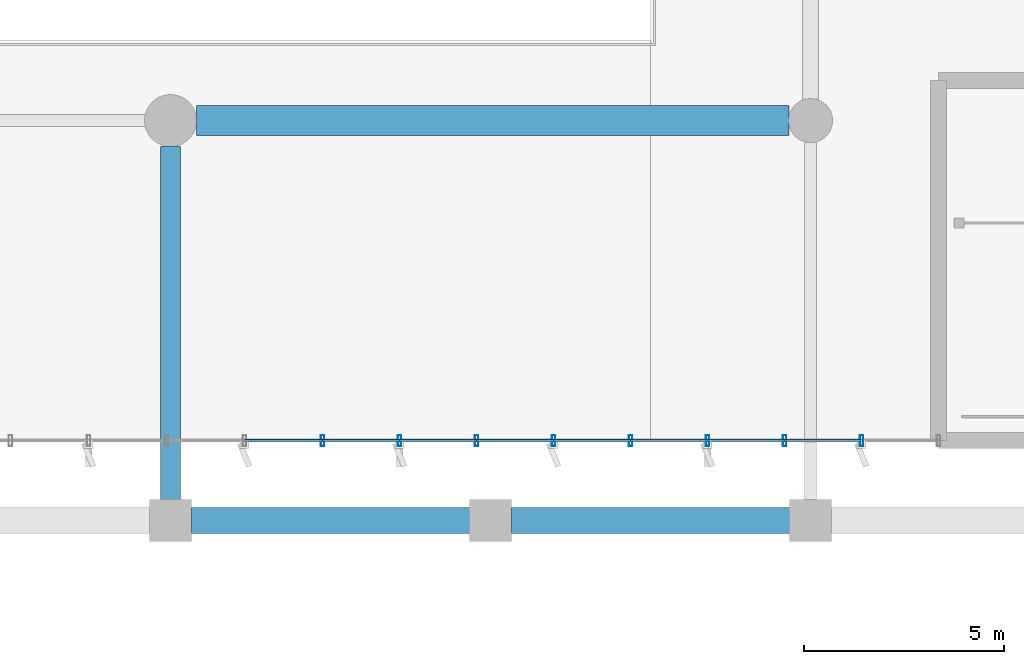
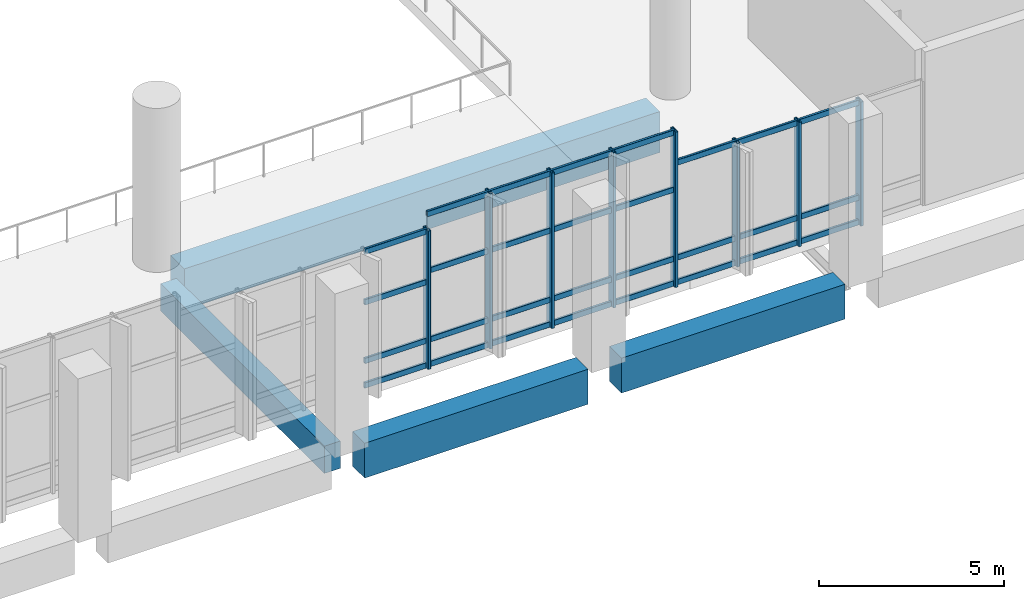
# One storey, part 34 of 176: 37 members, 4 beams, 3 elements without a shape of their own.
"""IFC4 building model written with IfcOpenShell, lengths in metres."""

from ifc_helpers import new_model, si_unit, direction, frame, origin, origin_2d, place, context, subcontext, project, spatial, rectangle, hollow_rectangle, extrude, material, layer, layer_set, material_profile, profile_set, type_object, element, aggregate, save


model = new_model("IFC4")

# Units and contexts
model_context = context("Model", 3, precision=1e-05, world=origin(), true_north=direction((0.0, 1.0)))
body_context = subcontext(model_context, "Body", "Model", "MODEL_VIEW")
ifc_project = project(units=[si_unit("LENGTHUNIT", "METRE"), si_unit("AREAUNIT", "SQUARE_METRE"), si_unit("VOLUMEUNIT", "CUBIC_METRE"), si_unit("PLANEANGLEUNIT", "RADIAN"), si_unit("MASSUNIT", "GRAM", prefix="KILO")], contexts=[model_context])

# Site, building, storey
site_placement = place(None, origin())
site = spatial("IfcSite", under=ifc_project, at=site_placement, CompositionType="ELEMENT")
building_placement = place(site_placement, origin())
building = spatial("IfcBuilding", under=site, at=building_placement, Name="Khorjan Park Terminus", CompositionType="ELEMENT")
storey_placement = place(building_placement, frame((0.0, 0.0, 6.0)))
storey = spatial("IfcBuildingStorey", under=building, at=storey_placement, Name="L01", CompositionType="ELEMENT", Elevation=6.0)

# Beams
ifc_material_1 = material(Name="Concrete C40/50", Category="concrete")
ifc_material_profile_1 = material_profile(ifc_material_1, rectangle(XDim=0.5, YDim=0.9, at=origin_2d()), Name="RC 500x900")
ifc_profile_set_1 = profile_set([ifc_material_profile_1], Name="Concrete C40/50")
beam_type_1 = type_object("IfcBeamType", Name="BM-RC500x900", PredefinedType="BEAM", material=ifc_profile_set_1)
beam_1_placement = place(storey_placement, frame((96.0, 26.52, -0.79), z_axis=(0.0, 1.0, 0.0), x_axis=(-1.0, 0.0, 0.0)))
element("IfcBeam", 1, at=beam_1_placement, inside=storey, type_object=beam_type_1, Name="Primary floor girder GB-09 (L01)", PredefinedType="BEAM", context=body_context, shape_type="SweptSolid", body=[
    extrude(rectangle(XDim=0.5, YDim=0.9, at=origin_2d()), origin(), (0.0, 0.0, 1.0), 8.835),
])
ifc_material_2 = material(Name="Concrete C50/60", Category="concrete")
ifc_material_profile_2 = material_profile(ifc_material_2, rectangle(XDim=0.75, YDim=1.35, at=origin_2d()), Name="RC 750x1350")
ifc_profile_set_2 = profile_set([ifc_material_profile_2], Name="Concrete C50/60")
beam_type_2 = type_object("IfcBeamType", Name="BM-RC750x1350", PredefinedType="BEAM", material=ifc_profile_set_2)
beam_2_placement = place(storey_placement, frame((96.645, 36.0, -1.015), z_axis=(1.0, 0.0, 0.0), x_axis=(0.0, 1.0, 0.0)))
element("IfcBeam", 2, at=beam_2_placement, inside=storey, type_object=beam_type_2, Name="Primary floor girder GB-13 (L01)", PredefinedType="BEAM", context=body_context, shape_type="SweptSolid", body=[
    extrude(rectangle(XDim=0.75, YDim=1.35, at=origin_2d()), origin(), (0.0, 0.0, 1.0), 14.81),
])

# Curtain wall, member
ifc_material_3 = material(Name="Anodized Bronze Aluminium", Category="aluminium")
ifc_layer = layer(ifc_material_3, 0.22)
ifc_layer_set = layer_set([ifc_layer], Name="Anodized Bronze Aluminium")
curtain_wall_type = type_object("IfcCurtainWallType", Name="CW-CONC-A", PredefinedType="NOTDEFINED", material=ifc_layer_set)
curtain_wall_1_placement = place(storey_placement, origin())
curtain_wall_1 = element("IfcCurtainWall", 3, at=curtain_wall_1_placement, inside=storey, type_object=curtain_wall_type, Name="Unitized curtain wall CW-A (CW-V2-S-L01-05)", PredefinedType="NOTDEFINED")
ifc_material_profile_3 = material_profile(ifc_material_3, hollow_rectangle(XDim=0.09, YDim=0.28, WallThickness=0.006, InnerFilletRadius=0.006, OuterFilletRadius=0.012, at=origin_2d()), Name="ALM 90x280x6")
ifc_profile_set_3 = profile_set([ifc_material_profile_3], Name="Anodized Bronze Aluminium")
member_type_1 = type_object("IfcMemberType", Name="ML-ALM-280", PredefinedType="MULLION", material=ifc_profile_set_3)
member_1_placement = place(storey_placement, frame((99.8, 28.0, -0.035), z_axis=(0.0, 0.0, 1.0), x_axis=(1.0, 0.0, 0.0)))
member_1 = element("IfcMember", 4, at=member_1_placement, type_object=member_type_1, Name="Curtain-wall mullion ML-28 (CW-V2-S-L01-05-4)", PredefinedType="MULLION", context=body_context, shape_type="SweptSolid", body=[
    extrude(hollow_rectangle(XDim=0.09, YDim=0.28, WallThickness=0.006, InnerFilletRadius=0.006, OuterFilletRadius=0.012, at=origin_2d()), origin(), (0.0, 0.0, 1.0), 4.555),
])

# Curtain wall, members
curtain_wall_2_placement = place(storey_placement, origin())
curtain_wall_2 = element("IfcCurtainWall", 5, at=curtain_wall_2_placement, inside=storey, type_object=curtain_wall_type, Name="Unitized curtain wall CW-A (CW-V2-S-L01-06)", PredefinedType="NOTDEFINED")
member_2_placement = place(storey_placement, frame((101.725, 28.0, -0.035), z_axis=(0.0, 0.0, 1.0), x_axis=(1.0, 0.0, 0.0)))
member_2 = element("IfcMember", 6, at=member_2_placement, type_object=member_type_1, Name="Curtain-wall mullion ML-28 (CW-V2-S-L01-06-1)", PredefinedType="MULLION", context=body_context, shape_type="SweptSolid", body=[
    extrude(hollow_rectangle(XDim=0.09, YDim=0.28, WallThickness=0.006, InnerFilletRadius=0.006, OuterFilletRadius=0.012, at=origin_2d()), origin(), (0.0, 0.0, 1.0), 5.115),
])
member_3_placement = place(storey_placement, frame((103.65, 28.0, -0.035), z_axis=(0.0, 0.0, 1.0), x_axis=(1.0, 0.0, 0.0)))
member_3 = element("IfcMember", 7, at=member_3_placement, type_object=member_type_1, Name="Curtain-wall mullion ML-28 (CW-V2-S-L01-06-2)", PredefinedType="MULLION", context=body_context, shape_type="SweptSolid", body=[
    extrude(hollow_rectangle(XDim=0.09, YDim=0.28, WallThickness=0.006, InnerFilletRadius=0.006, OuterFilletRadius=0.012, at=origin_2d()), origin(), (0.0, 0.0, 1.0), 5.115),
])
member_4_placement = place(storey_placement, frame((105.575, 28.0, -0.035), z_axis=(0.0, 0.0, 1.0), x_axis=(1.0, 0.0, 0.0)))
member_4 = element("IfcMember", 8, at=member_4_placement, type_object=member_type_1, Name="Curtain-wall mullion ML-28 (CW-V2-S-L01-06-3)", PredefinedType="MULLION", context=body_context, shape_type="SweptSolid", body=[
    extrude(hollow_rectangle(XDim=0.09, YDim=0.28, WallThickness=0.006, InnerFilletRadius=0.006, OuterFilletRadius=0.012, at=origin_2d()), origin(), (0.0, 0.0, 1.0), 5.115),
])
member_5_placement = place(storey_placement, frame((107.5, 28.0, -0.035), z_axis=(0.0, 0.0, 1.0), x_axis=(1.0, 0.0, 0.0)))
member_5 = element("IfcMember", 9, at=member_5_placement, type_object=member_type_1, Name="Curtain-wall mullion ML-28 (CW-V2-S-L01-06-4)", PredefinedType="MULLION", context=body_context, shape_type="SweptSolid", body=[
    extrude(hollow_rectangle(XDim=0.09, YDim=0.28, WallThickness=0.006, InnerFilletRadius=0.006, OuterFilletRadius=0.012, at=origin_2d()), origin(), (0.0, 0.0, 1.0), 5.115),
])

curtain_wall_3_placement = place(storey_placement, origin())
curtain_wall_3 = element("IfcCurtainWall", 10, at=curtain_wall_3_placement, inside=storey, type_object=curtain_wall_type, Name="Unitized curtain wall CW-A (CW-V2-S-L01-07)", PredefinedType="NOTDEFINED")
member_6_placement = place(storey_placement, frame((109.425, 28.0, -0.035), z_axis=(0.0, 0.0, 1.0), x_axis=(1.0, 0.0, 0.0)))
member_6 = element("IfcMember", 11, at=member_6_placement, type_object=member_type_1, Name="Curtain-wall mullion ML-28 (CW-V2-S-L01-07-1)", PredefinedType="MULLION", context=body_context, shape_type="SweptSolid", body=[
    extrude(hollow_rectangle(XDim=0.09, YDim=0.28, WallThickness=0.006, InnerFilletRadius=0.006, OuterFilletRadius=0.012, at=origin_2d()), origin(), (0.0, 0.0, 1.0), 4.085),
])
member_7_placement = place(storey_placement, frame((111.35, 28.0, -0.035), z_axis=(0.0, 0.0, 1.0), x_axis=(1.0, 0.0, 0.0)))
member_7 = element("IfcMember", 12, at=member_7_placement, type_object=member_type_1, Name="Curtain-wall mullion ML-28 (CW-V2-S-L01-07-2)", PredefinedType="MULLION", context=body_context, shape_type="SweptSolid", body=[
    extrude(hollow_rectangle(XDim=0.09, YDim=0.28, WallThickness=0.006, InnerFilletRadius=0.006, OuterFilletRadius=0.012, at=origin_2d()), origin(), (0.0, 0.0, 1.0), 4.085),
])
member_8_placement = place(storey_placement, frame((113.275, 28.0, -0.035), z_axis=(0.0, 0.0, 1.0), x_axis=(1.0, 0.0, 0.0)))
member_8 = element("IfcMember", 13, at=member_8_placement, type_object=member_type_1, Name="Curtain-wall mullion ML-28 (CW-V2-S-L01-07-3)", PredefinedType="MULLION", context=body_context, shape_type="SweptSolid", body=[
    extrude(hollow_rectangle(XDim=0.09, YDim=0.28, WallThickness=0.006, InnerFilletRadius=0.006, OuterFilletRadius=0.012, at=origin_2d()), origin(), (0.0, 0.0, 1.0), 4.085),
])

# Beams
ifc_material_profile_4 = material_profile(ifc_material_2, rectangle(XDim=0.65, YDim=1.15, at=origin_2d()), Name="RC 650x1150")
ifc_profile_set_4 = profile_set([ifc_material_profile_4], Name="Concrete C50/60")
beam_type_3 = type_object("IfcBeamType", Name="SP-RC650x1150", PredefinedType="SPANDREL", material=ifc_profile_set_4)
for number, where, z_axis, x_axis, name in (
    (14, (96.52, 26.0, -0.575), (1.0, 0.0, 0.0), (0.0, 1.0, 0.0), "Concourse lower colonnade ring beam SP-11 (L01-13)"),
    (15, (104.52, 26.0, -0.575), (1.0, 0.0, 0.0), (0.0, 1.0, 0.0), "Concourse lower colonnade ring beam SP-11 (L01-15)"),
):
    element("IfcBeam", number, at=place(storey_placement, frame(where, z_axis=z_axis, x_axis=x_axis)), inside=storey, type_object=beam_type_3, Name=name, PredefinedType="SPANDREL", context=body_context, shape_type="SweptSolid", body=[
        extrude(rectangle(XDim=0.65, YDim=1.15, at=origin_2d()), origin(), (0.0, 0.0, 1.0), 6.96),
    ])

# Member
ifc_material_profile_5 = material_profile(ifc_material_3, hollow_rectangle(XDim=0.075, YDim=0.185, WallThickness=0.005, InnerFilletRadius=0.005, OuterFilletRadius=0.01, at=origin_2d()), Name="ALT 75x185x5")
ifc_profile_set_5 = profile_set([ifc_material_profile_5], Name="Anodized Bronze Aluminium")
member_type_2 = type_object("IfcMemberType", Name="TR-ALT-185", PredefinedType="USERDEFINED", material=ifc_profile_set_5)
member_9_placement = place(storey_placement, frame((97.85, 28.0, 0.04), z_axis=(1.0, 0.0, 0.0), x_axis=(0.0, 1.0, 0.0)))
member_9 = element("IfcMember", 16, at=member_9_placement, type_object=member_type_2, Name="Curtain-wall transom TR-18 (CW-V2-S-L01-05-3-1)", ObjectType="TRANSOM", PredefinedType="USERDEFINED", context=body_context, shape_type="SweptSolid", body=[
    extrude(hollow_rectangle(XDim=0.075, YDim=0.185, WallThickness=0.005, InnerFilletRadius=0.005, OuterFilletRadius=0.01, at=origin_2d()), origin(), (0.0, 0.0, 1.0), 1.95),
])

member_10_placement = place(storey_placement, frame((97.85, 28.0, 0.85), z_axis=(1.0, 0.0, 0.0), x_axis=(0.0, 1.0, 0.0)))
member_10 = element("IfcMember", 17, at=member_10_placement, type_object=member_type_2, Name="Curtain-wall transom TR-18 (CW-V2-S-L01-05-3-2)", ObjectType="TRANSOM", PredefinedType="USERDEFINED", context=body_context, shape_type="SweptSolid", body=[
    extrude(hollow_rectangle(XDim=0.075, YDim=0.185, WallThickness=0.005, InnerFilletRadius=0.005, OuterFilletRadius=0.01, at=origin_2d()), origin(), (0.0, 0.0, 1.0), 1.95),
])

member_11_placement = place(storey_placement, frame((97.85, 28.0, 2.7807), z_axis=(1.0, 0.0, 0.0), x_axis=(0.0, 1.0, 0.0)))
member_11 = element("IfcMember", 18, at=member_11_placement, type_object=member_type_2, Name="Curtain-wall transom TR-18 (CW-V2-S-L01-05-3-3)", ObjectType="TRANSOM", PredefinedType="USERDEFINED", context=body_context, shape_type="SweptSolid", body=[
    extrude(hollow_rectangle(XDim=0.075, YDim=0.185, WallThickness=0.005, InnerFilletRadius=0.005, OuterFilletRadius=0.01, at=origin_2d()), origin(), (0.0, 0.0, 1.0), 1.95),
])

member_12_placement = place(storey_placement, frame((97.85, 28.0, 4.445), z_axis=(1.0, 0.0, 0.0), x_axis=(0.0, 1.0, 0.0)))
member_12 = element("IfcMember", 19, at=member_12_placement, type_object=member_type_2, Name="Curtain-wall transom TR-18 (CW-V2-S-L01-05-3-4)", ObjectType="TRANSOM", PredefinedType="USERDEFINED", context=body_context, shape_type="SweptSolid", body=[
    extrude(hollow_rectangle(XDim=0.075, YDim=0.185, WallThickness=0.005, InnerFilletRadius=0.005, OuterFilletRadius=0.01, at=origin_2d()), origin(), (0.0, 0.0, 1.0), 1.95),
])

aggregate(curtain_wall_1, [member_1, member_9, member_10, member_11, member_12])

member_13_placement = place(storey_placement, frame((99.8, 28.0, 0.04), z_axis=(1.0, 0.0, 0.0), x_axis=(0.0, 1.0, 0.0)))
member_13 = element("IfcMember", 20, at=member_13_placement, type_object=member_type_2, Name="Curtain-wall transom TR-18 (CW-V2-S-L01-06-0-1)", ObjectType="TRANSOM", PredefinedType="USERDEFINED", context=body_context, shape_type="SweptSolid", body=[
    extrude(hollow_rectangle(XDim=0.075, YDim=0.185, WallThickness=0.005, InnerFilletRadius=0.005, OuterFilletRadius=0.01, at=origin_2d()), origin(), (0.0, 0.0, 1.0), 1.925),
])

member_14_placement = place(storey_placement, frame((99.8, 28.0, 0.85), z_axis=(1.0, 0.0, 0.0), x_axis=(0.0, 1.0, 0.0)))
member_14 = element("IfcMember", 21, at=member_14_placement, type_object=member_type_2, Name="Curtain-wall transom TR-18 (CW-V2-S-L01-06-0-2)", ObjectType="TRANSOM", PredefinedType="USERDEFINED", context=body_context, shape_type="SweptSolid", body=[
    extrude(hollow_rectangle(XDim=0.075, YDim=0.185, WallThickness=0.005, InnerFilletRadius=0.005, OuterFilletRadius=0.01, at=origin_2d()), origin(), (0.0, 0.0, 1.0), 1.925),
])

member_15_placement = place(storey_placement, frame((99.8, 28.0, 3.1279), z_axis=(1.0, 0.0, 0.0), x_axis=(0.0, 1.0, 0.0)))
member_15 = element("IfcMember", 22, at=member_15_placement, type_object=member_type_2, Name="Curtain-wall transom TR-18 (CW-V2-S-L01-06-0-3)", ObjectType="TRANSOM", PredefinedType="USERDEFINED", context=body_context, shape_type="SweptSolid", body=[
    extrude(hollow_rectangle(XDim=0.075, YDim=0.185, WallThickness=0.005, InnerFilletRadius=0.005, OuterFilletRadius=0.01, at=origin_2d()), origin(), (0.0, 0.0, 1.0), 1.925),
])

member_16_placement = place(storey_placement, frame((99.8, 28.0, 5.005), z_axis=(1.0, 0.0, 0.0), x_axis=(0.0, 1.0, 0.0)))
member_16 = element("IfcMember", 23, at=member_16_placement, type_object=member_type_2, Name="Curtain-wall transom TR-18 (CW-V2-S-L01-06-0-4)", ObjectType="TRANSOM", PredefinedType="USERDEFINED", context=body_context, shape_type="SweptSolid", body=[
    extrude(hollow_rectangle(XDim=0.075, YDim=0.185, WallThickness=0.005, InnerFilletRadius=0.005, OuterFilletRadius=0.01, at=origin_2d()), origin(), (0.0, 0.0, 1.0), 1.925),
])

member_17_placement = place(storey_placement, frame((101.725, 28.0, 0.04), z_axis=(1.0, 0.0, 0.0), x_axis=(0.0, 1.0, 0.0)))
member_17 = element("IfcMember", 24, at=member_17_placement, type_object=member_type_2, Name="Curtain-wall transom TR-18 (CW-V2-S-L01-06-1-1)", ObjectType="TRANSOM", PredefinedType="USERDEFINED", context=body_context, shape_type="SweptSolid", body=[
    extrude(hollow_rectangle(XDim=0.075, YDim=0.185, WallThickness=0.005, InnerFilletRadius=0.005, OuterFilletRadius=0.01, at=origin_2d()), origin(), (0.0, 0.0, 1.0), 1.925),
])

member_18_placement = place(storey_placement, frame((101.725, 28.0, 0.85), z_axis=(1.0, 0.0, 0.0), x_axis=(0.0, 1.0, 0.0)))
member_18 = element("IfcMember", 25, at=member_18_placement, type_object=member_type_2, Name="Curtain-wall transom TR-18 (CW-V2-S-L01-06-1-2)", ObjectType="TRANSOM", PredefinedType="USERDEFINED", context=body_context, shape_type="SweptSolid", body=[
    extrude(hollow_rectangle(XDim=0.075, YDim=0.185, WallThickness=0.005, InnerFilletRadius=0.005, OuterFilletRadius=0.01, at=origin_2d()), origin(), (0.0, 0.0, 1.0), 1.925),
])

member_19_placement = place(storey_placement, frame((101.725, 28.0, 3.1279), z_axis=(1.0, 0.0, 0.0), x_axis=(0.0, 1.0, 0.0)))
member_19 = element("IfcMember", 26, at=member_19_placement, type_object=member_type_2, Name="Curtain-wall transom TR-18 (CW-V2-S-L01-06-1-3)", ObjectType="TRANSOM", PredefinedType="USERDEFINED", context=body_context, shape_type="SweptSolid", body=[
    extrude(hollow_rectangle(XDim=0.075, YDim=0.185, WallThickness=0.005, InnerFilletRadius=0.005, OuterFilletRadius=0.01, at=origin_2d()), origin(), (0.0, 0.0, 1.0), 1.925),
])

member_20_placement = place(storey_placement, frame((101.725, 28.0, 5.005), z_axis=(1.0, 0.0, 0.0), x_axis=(0.0, 1.0, 0.0)))
member_20 = element("IfcMember", 27, at=member_20_placement, type_object=member_type_2, Name="Curtain-wall transom TR-18 (CW-V2-S-L01-06-1-4)", ObjectType="TRANSOM", PredefinedType="USERDEFINED", context=body_context, shape_type="SweptSolid", body=[
    extrude(hollow_rectangle(XDim=0.075, YDim=0.185, WallThickness=0.005, InnerFilletRadius=0.005, OuterFilletRadius=0.01, at=origin_2d()), origin(), (0.0, 0.0, 1.0), 1.925),
])

member_21_placement = place(storey_placement, frame((103.65, 28.0, 0.04), z_axis=(1.0, 0.0, 0.0), x_axis=(0.0, 1.0, 0.0)))
member_21 = element("IfcMember", 28, at=member_21_placement, type_object=member_type_2, Name="Curtain-wall transom TR-18 (CW-V2-S-L01-06-2-1)", ObjectType="TRANSOM", PredefinedType="USERDEFINED", context=body_context, shape_type="SweptSolid", body=[
    extrude(hollow_rectangle(XDim=0.075, YDim=0.185, WallThickness=0.005, InnerFilletRadius=0.005, OuterFilletRadius=0.01, at=origin_2d()), origin(), (0.0, 0.0, 1.0), 1.925),
])

member_22_placement = place(storey_placement, frame((103.65, 28.0, 0.85), z_axis=(1.0, 0.0, 0.0), x_axis=(0.0, 1.0, 0.0)))
member_22 = element("IfcMember", 29, at=member_22_placement, type_object=member_type_2, Name="Curtain-wall transom TR-18 (CW-V2-S-L01-06-2-2)", ObjectType="TRANSOM", PredefinedType="USERDEFINED", context=body_context, shape_type="SweptSolid", body=[
    extrude(hollow_rectangle(XDim=0.075, YDim=0.185, WallThickness=0.005, InnerFilletRadius=0.005, OuterFilletRadius=0.01, at=origin_2d()), origin(), (0.0, 0.0, 1.0), 1.925),
])

member_23_placement = place(storey_placement, frame((103.65, 28.0, 3.1279), z_axis=(1.0, 0.0, 0.0), x_axis=(0.0, 1.0, 0.0)))
member_23 = element("IfcMember", 30, at=member_23_placement, type_object=member_type_2, Name="Curtain-wall transom TR-18 (CW-V2-S-L01-06-2-3)", ObjectType="TRANSOM", PredefinedType="USERDEFINED", context=body_context, shape_type="SweptSolid", body=[
    extrude(hollow_rectangle(XDim=0.075, YDim=0.185, WallThickness=0.005, InnerFilletRadius=0.005, OuterFilletRadius=0.01, at=origin_2d()), origin(), (0.0, 0.0, 1.0), 1.925),
])

member_24_placement = place(storey_placement, frame((103.65, 28.0, 5.005), z_axis=(1.0, 0.0, 0.0), x_axis=(0.0, 1.0, 0.0)))
member_24 = element("IfcMember", 31, at=member_24_placement, type_object=member_type_2, Name="Curtain-wall transom TR-18 (CW-V2-S-L01-06-2-4)", ObjectType="TRANSOM", PredefinedType="USERDEFINED", context=body_context, shape_type="SweptSolid", body=[
    extrude(hollow_rectangle(XDim=0.075, YDim=0.185, WallThickness=0.005, InnerFilletRadius=0.005, OuterFilletRadius=0.01, at=origin_2d()), origin(), (0.0, 0.0, 1.0), 1.925),
])

member_25_placement = place(storey_placement, frame((105.575, 28.0, 0.04), z_axis=(1.0, 0.0, 0.0), x_axis=(0.0, 1.0, 0.0)))
member_25 = element("IfcMember", 32, at=member_25_placement, type_object=member_type_2, Name="Curtain-wall transom TR-18 (CW-V2-S-L01-06-3-1)", ObjectType="TRANSOM", PredefinedType="USERDEFINED", context=body_context, shape_type="SweptSolid", body=[
    extrude(hollow_rectangle(XDim=0.075, YDim=0.185, WallThickness=0.005, InnerFilletRadius=0.005, OuterFilletRadius=0.01, at=origin_2d()), origin(), (0.0, 0.0, 1.0), 1.925),
])

member_26_placement = place(storey_placement, frame((105.575, 28.0, 0.85), z_axis=(1.0, 0.0, 0.0), x_axis=(0.0, 1.0, 0.0)))
member_26 = element("IfcMember", 33, at=member_26_placement, type_object=member_type_2, Name="Curtain-wall transom TR-18 (CW-V2-S-L01-06-3-2)", ObjectType="TRANSOM", PredefinedType="USERDEFINED", context=body_context, shape_type="SweptSolid", body=[
    extrude(hollow_rectangle(XDim=0.075, YDim=0.185, WallThickness=0.005, InnerFilletRadius=0.005, OuterFilletRadius=0.01, at=origin_2d()), origin(), (0.0, 0.0, 1.0), 1.925),
])

member_27_placement = place(storey_placement, frame((105.575, 28.0, 3.1279), z_axis=(1.0, 0.0, 0.0), x_axis=(0.0, 1.0, 0.0)))
member_27 = element("IfcMember", 34, at=member_27_placement, type_object=member_type_2, Name="Curtain-wall transom TR-18 (CW-V2-S-L01-06-3-3)", ObjectType="TRANSOM", PredefinedType="USERDEFINED", context=body_context, shape_type="SweptSolid", body=[
    extrude(hollow_rectangle(XDim=0.075, YDim=0.185, WallThickness=0.005, InnerFilletRadius=0.005, OuterFilletRadius=0.01, at=origin_2d()), origin(), (0.0, 0.0, 1.0), 1.925),
])

member_28_placement = place(storey_placement, frame((105.575, 28.0, 5.005), z_axis=(1.0, 0.0, 0.0), x_axis=(0.0, 1.0, 0.0)))
member_28 = element("IfcMember", 35, at=member_28_placement, type_object=member_type_2, Name="Curtain-wall transom TR-18 (CW-V2-S-L01-06-3-4)", ObjectType="TRANSOM", PredefinedType="USERDEFINED", context=body_context, shape_type="SweptSolid", body=[
    extrude(hollow_rectangle(XDim=0.075, YDim=0.185, WallThickness=0.005, InnerFilletRadius=0.005, OuterFilletRadius=0.01, at=origin_2d()), origin(), (0.0, 0.0, 1.0), 1.925),
])

aggregate(curtain_wall_2, [member_2, member_3, member_4, member_5, member_13, member_14, member_15, member_16, member_17, member_18, member_19, member_20, member_21, member_22, member_23, member_24, member_25, member_26, member_27, member_28])

member_29_placement = place(storey_placement, frame((107.5, 28.0, 0.04), z_axis=(1.0, 0.0, 0.0), x_axis=(0.0, 1.0, 0.0)))
member_29 = element("IfcMember", 36, at=member_29_placement, type_object=member_type_2, Name="Curtain-wall transom TR-18 (CW-V2-S-L01-07-0-1)", ObjectType="TRANSOM", PredefinedType="USERDEFINED", context=body_context, shape_type="SweptSolid", body=[
    extrude(hollow_rectangle(XDim=0.075, YDim=0.185, WallThickness=0.005, InnerFilletRadius=0.005, OuterFilletRadius=0.01, at=origin_2d()), origin(), (0.0, 0.0, 1.0), 1.925),
])

member_30_placement = place(storey_placement, frame((107.5, 28.0, 0.85), z_axis=(1.0, 0.0, 0.0), x_axis=(0.0, 1.0, 0.0)))
member_30 = element("IfcMember", 37, at=member_30_placement, type_object=member_type_2, Name="Curtain-wall transom TR-18 (CW-V2-S-L01-07-0-2)", ObjectType="TRANSOM", PredefinedType="USERDEFINED", context=body_context, shape_type="SweptSolid", body=[
    extrude(hollow_rectangle(XDim=0.075, YDim=0.185, WallThickness=0.005, InnerFilletRadius=0.005, OuterFilletRadius=0.01, at=origin_2d()), origin(), (0.0, 0.0, 1.0), 1.925),
])

member_31_placement = place(storey_placement, frame((107.5, 28.0, 3.975), z_axis=(1.0, 0.0, 0.0), x_axis=(0.0, 1.0, 0.0)))
member_31 = element("IfcMember", 38, at=member_31_placement, type_object=member_type_2, Name="Curtain-wall transom TR-18 (CW-V2-S-L01-07-0-3)", ObjectType="TRANSOM", PredefinedType="USERDEFINED", context=body_context, shape_type="SweptSolid", body=[
    extrude(hollow_rectangle(XDim=0.075, YDim=0.185, WallThickness=0.005, InnerFilletRadius=0.005, OuterFilletRadius=0.01, at=origin_2d()), origin(), (0.0, 0.0, 1.0), 1.925),
])

member_32_placement = place(storey_placement, frame((109.425, 28.0, 0.04), z_axis=(1.0, 0.0, 0.0), x_axis=(0.0, 1.0, 0.0)))
member_32 = element("IfcMember", 39, at=member_32_placement, type_object=member_type_2, Name="Curtain-wall transom TR-18 (CW-V2-S-L01-07-1-1)", ObjectType="TRANSOM", PredefinedType="USERDEFINED", context=body_context, shape_type="SweptSolid", body=[
    extrude(hollow_rectangle(XDim=0.075, YDim=0.185, WallThickness=0.005, InnerFilletRadius=0.005, OuterFilletRadius=0.01, at=origin_2d()), origin(), (0.0, 0.0, 1.0), 1.925),
])

member_33_placement = place(storey_placement, frame((109.425, 28.0, 0.85), z_axis=(1.0, 0.0, 0.0), x_axis=(0.0, 1.0, 0.0)))
member_33 = element("IfcMember", 40, at=member_33_placement, type_object=member_type_2, Name="Curtain-wall transom TR-18 (CW-V2-S-L01-07-1-2)", ObjectType="TRANSOM", PredefinedType="USERDEFINED", context=body_context, shape_type="SweptSolid", body=[
    extrude(hollow_rectangle(XDim=0.075, YDim=0.185, WallThickness=0.005, InnerFilletRadius=0.005, OuterFilletRadius=0.01, at=origin_2d()), origin(), (0.0, 0.0, 1.0), 1.925),
])

member_34_placement = place(storey_placement, frame((109.425, 28.0, 3.975), z_axis=(1.0, 0.0, 0.0), x_axis=(0.0, 1.0, 0.0)))
member_34 = element("IfcMember", 41, at=member_34_placement, type_object=member_type_2, Name="Curtain-wall transom TR-18 (CW-V2-S-L01-07-1-3)", ObjectType="TRANSOM", PredefinedType="USERDEFINED", context=body_context, shape_type="SweptSolid", body=[
    extrude(hollow_rectangle(XDim=0.075, YDim=0.185, WallThickness=0.005, InnerFilletRadius=0.005, OuterFilletRadius=0.01, at=origin_2d()), origin(), (0.0, 0.0, 1.0), 1.925),
])

member_35_placement = place(storey_placement, frame((111.35, 28.0, 0.04), z_axis=(1.0, 0.0, 0.0), x_axis=(0.0, 1.0, 0.0)))
member_35 = element("IfcMember", 42, at=member_35_placement, type_object=member_type_2, Name="Curtain-wall transom TR-18 (CW-V2-S-L01-07-2-1)", ObjectType="TRANSOM", PredefinedType="USERDEFINED", context=body_context, shape_type="SweptSolid", body=[
    extrude(hollow_rectangle(XDim=0.075, YDim=0.185, WallThickness=0.005, InnerFilletRadius=0.005, OuterFilletRadius=0.01, at=origin_2d()), origin(), (0.0, 0.0, 1.0), 1.925),
])

member_36_placement = place(storey_placement, frame((111.35, 28.0, 0.85), z_axis=(1.0, 0.0, 0.0), x_axis=(0.0, 1.0, 0.0)))
member_36 = element("IfcMember", 43, at=member_36_placement, type_object=member_type_2, Name="Curtain-wall transom TR-18 (CW-V2-S-L01-07-2-2)", ObjectType="TRANSOM", PredefinedType="USERDEFINED", context=body_context, shape_type="SweptSolid", body=[
    extrude(hollow_rectangle(XDim=0.075, YDim=0.185, WallThickness=0.005, InnerFilletRadius=0.005, OuterFilletRadius=0.01, at=origin_2d()), origin(), (0.0, 0.0, 1.0), 1.925),
])

member_37_placement = place(storey_placement, frame((111.35, 28.0, 3.975), z_axis=(1.0, 0.0, 0.0), x_axis=(0.0, 1.0, 0.0)))
member_37 = element("IfcMember", 44, at=member_37_placement, type_object=member_type_2, Name="Curtain-wall transom TR-18 (CW-V2-S-L01-07-2-3)", ObjectType="TRANSOM", PredefinedType="USERDEFINED", context=body_context, shape_type="SweptSolid", body=[
    extrude(hollow_rectangle(XDim=0.075, YDim=0.185, WallThickness=0.005, InnerFilletRadius=0.005, OuterFilletRadius=0.01, at=origin_2d()), origin(), (0.0, 0.0, 1.0), 1.925),
])

aggregate(curtain_wall_3, [member_6, member_7, member_8, member_29, member_30, member_31, member_32, member_33, member_34, member_35, member_36, member_37])

save(model, "model.ifc")
